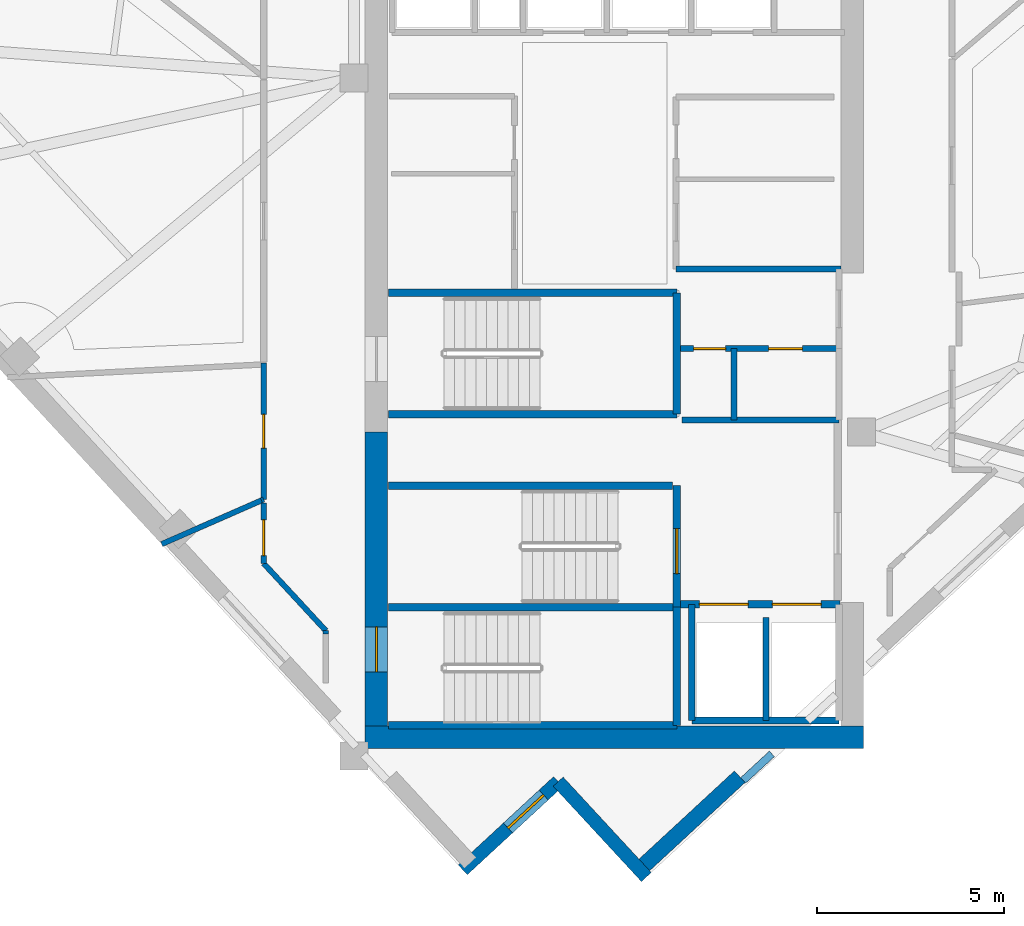
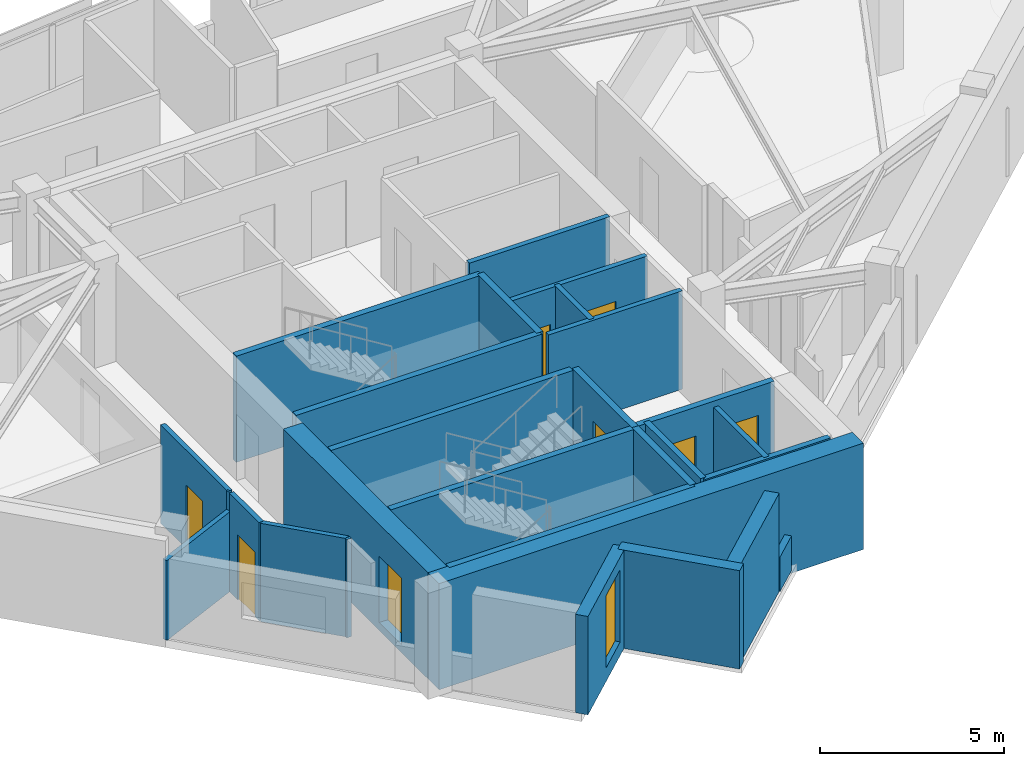
# One storey, part 8 of 13: 28 walls, 8 doors, 1 window, 9 openings.
"""IFC4 building model written with IfcOpenShell, lengths in metres."""

from ifc_helpers import new_model, si_unit, direction, frame, frame_2d, origin, place, context, subcontext, project, spatial, rectangle, extrude, material, layer, layer_set, type_object, element, fill, save


model = new_model("IFC4")

# Units and contexts
model_context = context("Model", 3, precision=1e-05, world=origin(), true_north=direction((0.0, 1.0)))
body_context = subcontext(model_context, "Body", "Model", "MODEL_VIEW")
ifc_project = project(units=[si_unit("LENGTHUNIT", "METRE"), si_unit("AREAUNIT", "SQUARE_METRE"), si_unit("VOLUMEUNIT", "CUBIC_METRE"), si_unit("PLANEANGLEUNIT", "RADIAN"), si_unit("MASSUNIT", "GRAM", prefix="KILO")], contexts=[model_context])

# Site, building, storey
site_placement = place(None, origin())
site = spatial("IfcSite", under=ifc_project, at=site_placement, CompositionType="ELEMENT")
building_placement = place(site_placement, origin())
building = spatial("IfcBuilding", under=site, at=building_placement, Name="Narakoshi Arena Tower", CompositionType="ELEMENT")
storey_placement = place(building_placement, frame((0.0, 0.0, 278.340087890625)))
storey = spatial("IfcBuildingStorey", under=building, at=storey_placement, Name="L76", CompositionType="ELEMENT", Elevation=278.340087890625)

# Wall, opening, door
ifc_material_1 = material(Name="Concrete C50/60", Category="concrete")
ifc_layer_1 = layer(ifc_material_1, 0.60009765625)
ifc_layer_set_1 = layer_set([ifc_layer_1], Name="Concrete C50/60")
wall_type_1 = type_object("IfcWallType", Name="WL-CORE-600", PredefinedType="SHEAR", material=ifc_layer_set_1)
wall_1_placement = place(storey_placement, frame((72.60009765625, 35.5, -0.260009765625), z_axis=(0.0, 0.0, 1.0), x_axis=(0.0, 1.0, 0.0)))
wall_1 = element("IfcWall", 1, at=wall_1_placement, inside=storey, type_object=wall_type_1, Name="L76 Central Core Shear Wall CW-APX-W", PredefinedType="SHEAR", context=body_context, shape_type="SweptSolid", body=[
    extrude(rectangle(XDim=7.85009765625, YDim=0.60009765625, at=frame_2d((3.925048828125, 0.0))), origin(), (0.0, 0.0, 1.0), 3.52001953125),
])
opening_1_placement = place(wall_1_placement, frame((1.449951171875, 0.0, 0.260009765625)))
opening_1 = element("IfcOpeningElement", 2, at=opening_1_placement, cuts=wall_1, Name="Opening D-03", PredefinedType="OPENING", context=body_context, shape_type="SweptSolid", body=[
    extrude(rectangle(XDim=1.199951171875, YDim=2.199951171875, at=frame_2d((0.60009765625, 1.10009765625))), frame((0.0, 0.31005859375, 0.0), z_axis=(0.0, -1.0, 0.0), x_axis=(1.0, 0.0, 0.0)), (0.0, 0.0, 1.0), 0.6201171875),
])
ifc_material_2 = material(Name="Painted galvanized steel", Category="steel")
door_type_1 = type_object("IfcDoorType", Name="DR-STR-1200", OperationType="NOTDEFINED", PredefinedType="USERDEFINED", material=ifc_material_2)
door_1_placement = place(opening_1_placement, frame((1.199951171875, 0.0, 0.0), z_axis=(0.0, 0.0, 1.0), x_axis=(-1.0, 0.0, 0.0)))
door_1 = element("IfcDoor", 3, at=door_1_placement, inside=storey, type_object=door_type_1, Name="DR-L76-001", ObjectType="EXITDOOR", OperationType="SINGLE_SWING_LEFT", OverallHeight=2.199951171875, OverallWidth=1.199951171875, PredefinedType="USERDEFINED", context=body_context, shape_type="SweptSolid", body=[
    extrude(rectangle(XDim=1.199951171875, YDim=2.199951171875, at=frame_2d((0.60009765625, 1.10009765625))), frame((0.0, 0.02490234375, 0.0), z_axis=(0.0, -1.0, 0.0), x_axis=(1.0, 0.0, 0.0)), (0.0, 0.0, 1.0), 0.050048828125),
])
fill(opening_1, door_1)

# Walls
wall_2_placement = place(storey_placement, frame((72.300048828125, 35.199951171875, -0.260009765625), z_axis=(0.0, 0.0, 1.0), x_axis=(1.0, 0.0, 0.0)))
element("IfcWall", 4, at=wall_2_placement, inside=storey, type_object=wall_type_1, Name="L76 Central Core Shear Wall CW-APX-S", PredefinedType="SHEAR", context=body_context, shape_type="SweptSolid", body=[
    extrude(rectangle(XDim=13.300048828125, YDim=0.60009765625, at=frame_2d((6.64990234375, 0.0))), origin(), (0.0, 0.0, 1.0), 3.52001953125),
])
ifc_material_3 = material(Name="Precast concrete C45/55", Category="concrete")
ifc_layer_2 = layer(ifc_material_3, 0.25)
ifc_layer_set_2 = layer_set([ifc_layer_2], Name="Precast concrete C45/55")
wall_type_2 = type_object("IfcWallType", Name="WL-PARA-250", PredefinedType="PARAPET", material=ifc_layer_set_2)
wall_3_placement = place(storey_placement, frame((83.15625, 34.760009765625, 0.0), z_axis=(0.0, 0.0, 1.0), x_axis=(-0.734364355784, -0.678755473609, 0.0)))
element("IfcWall", 5, at=wall_3_placement, inside=storey, type_object=wall_type_2, Name="L76 Crown Sill Upstand Parapet 05", PredefinedType="PARAPET", context=body_context, shape_type="SweptSolid", body=[
    extrude(rectangle(XDim=1.044921875, YDim=0.199951171875, at=frame_2d((0.5224609375, 0.0))), origin(), (0.0, 0.0, 1.0), 1.14990234375),
])
ifc_layer_3 = layer(ifc_material_3, 0.419921875)
ifc_layer_set_3 = layer_set([ifc_layer_3], Name="Precast concrete C45/55")
wall_type_3 = type_object("IfcWallType", Name="WL-POD-420", PredefinedType="SOLIDWALL", material=ifc_layer_set_3)
wall_4_placement = place(storey_placement, frame((79.618896484375, 31.674072265625, 0.0), z_axis=(0.0, 0.0, 1.0), x_axis=(0.734338793707, 0.678783128884, 0.0)))
element("IfcWall", 6, at=wall_4_placement, inside=storey, type_object=wall_type_3, Name="L76 Architectural Concrete Facade Wall LEGA-1", PredefinedType="SOLIDWALL", context=body_context, shape_type="SweptSolid", body=[
    extrude(rectangle(XDim=3.6474609375, YDim=0.419921875, at=frame_2d((1.82373046875, 0.0))), origin(), (0.0, 0.0, 1.0), 3.260009765625),
])

# Wall, opening, window
wall_5_placement = place(storey_placement, frame((74.9033203125, 31.664794921875, 0.0), z_axis=(0.0, 0.0, 1.0), x_axis=(0.734325680362, 0.678797315228, 0.0)))
wall_5 = element("IfcWall", 7, at=wall_5_placement, inside=storey, type_object=wall_type_3, Name="L76 Re-Entrant Corner Notch Wall NTA-1", PredefinedType="SOLIDWALL", context=body_context, shape_type="SweptSolid", body=[
    extrude(rectangle(XDim=3.468994140625, YDim=0.360107421875, at=frame_2d((1.734375, 0.0))), origin(), (0.0, 0.0, 1.0), 3.260009765625),
])
opening_2_placement = place(wall_5_placement, frame((1.64306640625, 0.0, 0.449951171875)))
opening_2 = element("IfcOpeningElement", 8, at=opening_2_placement, cuts=wall_5, Name="Opening WN-06", PredefinedType="OPENING", context=body_context, shape_type="SweptSolid", body=[
    extrude(rectangle(XDim=1.300048828125, YDim=2.39990234375, at=frame_2d((0.64990234375, 1.199951171875))), frame((0.0, 0.18994140625, 0.0), z_axis=(0.0, -1.0, 0.0), x_axis=(1.0, 0.0, 0.0)), (0.0, 0.0, 1.0), 0.380126953125),
])
ifc_material_4 = material(Name="Bronze-tinted low-E laminated glass", Category="glass")
window_type = type_object("IfcWindowType", Name="WIN-NTC-16x24", PartitioningType="SINGLE_PANEL", PredefinedType="WINDOW", material=ifc_material_4)
window_placement = place(opening_2_placement, origin())
window = element("IfcWindow", 9, at=window_placement, inside=storey, type_object=window_type, Name="L76 Corner Notch Window NTA", OverallHeight=2.39990234375, OverallWidth=1.300048828125, PartitioningType="SINGLE_PANEL", PredefinedType="WINDOW", context=body_context, shape_type="SweptSolid", body=[
    extrude(rectangle(XDim=1.300048828125, YDim=2.39990234375, at=frame_2d((0.64990234375, 1.199951171875))), frame((0.0, 0.030029296875, 0.0), z_axis=(0.0, -1.0, 0.0), x_axis=(1.0, 0.0, 0.0)), (0.0, 0.0, 1.0), 0.06005859375),
])
fill(opening_2, window)

# Walls
wall_6_placement = place(storey_placement, frame((77.45068359375, 34.01953125, 0.0), z_axis=(0.0, 0.0, 1.0), x_axis=(0.678835262818, -0.734290600481, 0.0)))
element("IfcWall", 10, at=wall_6_placement, inside=storey, type_object=wall_type_3, Name="L76 Re-Entrant Corner Notch Wall NTA-2", PredefinedType="SOLIDWALL", context=body_context, shape_type="SweptSolid", body=[
    extrude(rectangle(XDim=3.46923828125, YDim=0.360107421875, at=frame_2d((1.734619140625, 0.0))), origin(), (0.0, 0.0, 1.0), 3.260009765625),
])
ifc_material_5 = material(Name="Concrete C40/50", Category="concrete")
ifc_layer_4 = layer(ifc_material_5, 0.280029296875)
ifc_layer_set_4 = layer_set([ifc_layer_4], Name="Concrete C40/50")
wall_type_4 = type_object("IfcWallType", Name="WL-RISER-280", PredefinedType="PLUMBINGWALL", material=ifc_layer_set_4)
wall_7_placement = place(storey_placement, frame((83.0, 35.64990234375, 0.0), z_axis=(0.0, 0.0, 1.0), x_axis=(0.0, 1.0, 0.0)))
element("IfcWall", 11, at=wall_7_placement, inside=storey, type_object=wall_type_4, Name="L76 Core Wall FF-DIV", PredefinedType="PLUMBINGWALL", context=body_context, shape_type="SweptSolid", body=[
    extrude(rectangle(XDim=2.75, YDim=0.159912109375, at=frame_2d((1.375, 0.0))), origin(), (0.0, 0.0, 1.0), 3.260009765625),
])

# Wall, openings, doors
wall_8_placement = place(storey_placement, frame((80.719970703125, 45.580078125, 0.0), z_axis=(0.0, 0.0, 1.0), x_axis=(1.0, 0.0, 0.0)))
wall_8 = element("IfcWall", 12, at=wall_8_placement, inside=storey, type_object=wall_type_4, Name="L76 Core Wall RSR-N", PredefinedType="PLUMBINGWALL", context=body_context, shape_type="SweptSolid", body=[
    extrude(rectangle(XDim=4.22998046875, YDim=0.159912109375, at=frame_2d((2.114990234375, 0.0))), origin(), (0.0, 0.0, 1.0), 3.260009765625),
])
opening_3_placement = place(wall_8_placement, frame((0.35009765625, 0.0, 0.0)))
opening_3 = element("IfcOpeningElement", 13, at=opening_3_placement, cuts=wall_8, Name="Opening D-10", PredefinedType="OPENING", context=body_context, shape_type="SweptSolid", body=[
    extrude(rectangle(XDim=0.85009765625, YDim=2.050048828125, at=frame_2d((0.425048828125, 1.02490234375))), frame((0.0, 0.08984375, 0.0), z_axis=(0.0, -1.0, 0.0), x_axis=(1.0, 0.0, 0.0)), (0.0, 0.0, 1.0), 0.179931640625),
])
opening_4_placement = place(wall_8_placement, frame((2.35009765625, 0.0, 0.0)))
opening_4 = element("IfcOpeningElement", 14, at=opening_4_placement, cuts=wall_8, Name="Opening D-08", PredefinedType="OPENING", context=body_context, shape_type="SweptSolid", body=[
    extrude(rectangle(XDim=0.89990234375, YDim=2.10009765625, at=frame_2d((0.449951171875, 1.050048828125))), frame((0.0, 0.08984375, 0.0), z_axis=(0.0, -1.0, 0.0), x_axis=(1.0, 0.0, 0.0)), (0.0, 0.0, 1.0), 0.179931640625),
])
door_type_2 = type_object("IfcDoorType", Name="DR-RSR-850", OperationType="NOTDEFINED", PredefinedType="DOOR", material=ifc_material_2)
door_2_placement = place(opening_3_placement, frame((0.85009765625, 0.0, 0.0), z_axis=(0.0, 0.0, 1.0), x_axis=(-1.0, 0.0, 0.0)))
door_2 = element("IfcDoor", 15, at=door_2_placement, inside=storey, type_object=door_type_2, Name="DR-L76-008", OperationType="SINGLE_SWING_LEFT", OverallHeight=2.050048828125, OverallWidth=0.85009765625, PredefinedType="DOOR", context=body_context, shape_type="SweptSolid", body=[
    extrude(rectangle(XDim=0.85009765625, YDim=2.050048828125, at=frame_2d((0.425048828125, 1.02490234375))), frame((0.0, 0.02490234375, 0.0), z_axis=(0.0, -1.0, 0.0), x_axis=(1.0, 0.0, 0.0)), (0.0, 0.0, 1.0), 0.050048828125),
])
fill(opening_3, door_2)
ifc_material_6 = material(Name="Moisture-resistant laminate timber", Category="wood")
door_type_3 = type_object("IfcDoorType", Name="DR-WC-900", OperationType="NOTDEFINED", PredefinedType="DOOR", material=ifc_material_6)
door_3_placement = place(opening_4_placement, frame((0.89990234375, 0.0, 0.0), z_axis=(0.0, 0.0, 1.0), x_axis=(-1.0, 0.0, 0.0)))
door_3 = element("IfcDoor", 16, at=door_3_placement, inside=storey, type_object=door_type_3, Name="DR-L76-009", OperationType="SINGLE_SWING_RIGHT", OverallHeight=2.10009765625, OverallWidth=0.89990234375, PredefinedType="DOOR", context=body_context, shape_type="SweptSolid", body=[
    extrude(rectangle(XDim=0.89990234375, YDim=2.10009765625, at=frame_2d((0.449951171875, 1.050048828125))), frame((0.0, 0.02490234375, 0.0), z_axis=(0.0, -1.0, 0.0), x_axis=(1.0, 0.0, 0.0)), (0.0, 0.0, 1.0), 0.050048828125),
])
fill(opening_4, door_3)

# Walls
wall_9_placement = place(storey_placement, frame((80.760009765625, 43.679931640625, 0.0), z_axis=(0.0, 0.0, 1.0), x_axis=(1.0, 0.0, 0.0)))
element("IfcWall", 17, at=wall_9_placement, inside=storey, type_object=wall_type_4, Name="L76 Core Wall RSR-S", PredefinedType="PLUMBINGWALL", context=body_context, shape_type="SweptSolid", body=[
    extrude(rectangle(XDim=4.18994140625, YDim=0.159912109375, at=frame_2d((2.094970703125, 0.0))), origin(), (0.0, 0.0, 1.0), 3.260009765625),
])
wall_10_placement = place(storey_placement, frame((82.14990234375, 43.679931640625, 0.0), z_axis=(0.0, 0.0, 1.0), x_axis=(0.0, 1.0, 0.0)))
element("IfcWall", 18, at=wall_10_placement, inside=storey, type_object=wall_type_4, Name="L76 Core Wall RSR-M", PredefinedType="PLUMBINGWALL", context=body_context, shape_type="SweptSolid", body=[
    extrude(rectangle(XDim=1.900146484375, YDim=0.159912109375, at=frame_2d((0.9501953125, 0.0))), origin(), (0.0, 0.0, 1.0), 3.260009765625),
])
ifc_layer_5 = layer(ifc_material_1, 0.35009765625)
ifc_layer_set_5 = layer_set([ifc_layer_5], Name="Concrete C50/60")
wall_type_5 = type_object("IfcWallType", Name="WL-SHAFT-350", PredefinedType="SOLIDWALL", material=ifc_layer_set_5)
for number, where, z_axis, x_axis, name in (
    (19, (72.919921875, 35.52001953125, -0.260009765625), (0.0, 0.0, 1.0), (1.0, 0.0, 0.0), "L76 Core Wall ST1-S"),
    (20, (72.919921875, 38.675048828125, -0.260009765625), (0.0, 0.0, 1.0), (1.0, 0.0, 0.0), "L76 Core Wall ST12-DIV"),
):
    element("IfcWall", number, at=place(storey_placement, frame(where, z_axis=z_axis, x_axis=x_axis)), inside=storey, type_object=wall_type_5, Name=name, PredefinedType="SOLIDWALL", context=body_context, shape_type="SweptSolid", body=[
        extrude(rectangle(XDim=7.7001953125, YDim=0.199951171875, at=frame_2d((3.85009765625, 0.0))), origin(), (0.0, 0.0, 1.0), 3.52001953125),
    ])
wall_11_placement = place(storey_placement, frame((80.6201171875, 35.52001953125, -0.260009765625), z_axis=(0.0, 0.0, 1.0), x_axis=(0.0, 1.0, 0.0)))
element("IfcWall", 21, at=wall_11_placement, inside=storey, type_object=wall_type_5, Name="L76 Core Wall ST1-E", PredefinedType="SOLIDWALL", context=body_context, shape_type="SweptSolid", body=[
    extrude(rectangle(XDim=3.155029296875, YDim=0.199951171875, at=frame_2d((1.57763671875, 0.0))), origin(), (0.0, 0.0, 1.0), 3.52001953125),
])

# Wall, opening, door
wall_12_placement = place(storey_placement, frame((80.6201171875, 38.675048828125, -0.260009765625), z_axis=(0.0, 0.0, 1.0), x_axis=(0.0, 1.0, 0.0)))
wall_12 = element("IfcWall", 22, at=wall_12_placement, inside=storey, type_object=wall_type_5, Name="L76 Core Wall ST2-E", PredefinedType="SOLIDWALL", context=body_context, shape_type="SweptSolid", body=[
    extrude(rectangle(XDim=3.244873046875, YDim=0.199951171875, at=frame_2d((1.62255859375, 0.0))), origin(), (0.0, 0.0, 1.0), 3.52001953125),
])
opening_5_placement = place(wall_12_placement, frame((0.89990234375, 0.0, 0.260009765625)))
opening_5 = element("IfcOpeningElement", 23, at=opening_5_placement, cuts=wall_12, Name="Opening D-03", PredefinedType="OPENING", context=body_context, shape_type="SweptSolid", body=[
    extrude(rectangle(XDim=1.199951171875, YDim=2.199951171875, at=frame_2d((0.60009765625, 1.10009765625))), frame((0.0, 0.10986328125, 0.0), z_axis=(0.0, -1.0, 0.0), x_axis=(1.0, 0.0, 0.0)), (0.0, 0.0, 1.0), 0.219970703125),
])
door_4_placement = place(opening_5_placement, origin())
door_4 = element("IfcDoor", 24, at=door_4_placement, inside=storey, type_object=door_type_1, Name="DR-L76-002", ObjectType="EXITDOOR", OperationType="SINGLE_SWING_RIGHT", OverallHeight=2.199951171875, OverallWidth=1.199951171875, PredefinedType="USERDEFINED", context=body_context, shape_type="SweptSolid", body=[
    extrude(rectangle(XDim=1.199951171875, YDim=2.199951171875, at=frame_2d((0.60009765625, 1.10009765625))), frame((0.0, 0.02490234375, 0.0), z_axis=(0.0, -1.0, 0.0), x_axis=(1.0, 0.0, 0.0)), (0.0, 0.0, 1.0), 0.050048828125),
])
fill(opening_5, door_4)

# Wall, openings, doors
wall_13_placement = place(storey_placement, frame((80.719970703125, 38.75, 0.0), z_axis=(0.0, 0.0, 1.0), x_axis=(1.0, 0.0, 0.0)))
wall_13 = element("IfcWall", 25, at=wall_13_placement, inside=storey, type_object=wall_type_5, Name="L76 Core Wall FF-N", PredefinedType="SOLIDWALL", context=body_context, shape_type="SweptSolid", body=[
    extrude(rectangle(XDim=4.260009765625, YDim=0.199951171875, at=frame_2d((2.1298828125, 0.0))), origin(), (0.0, 0.0, 1.0), 3.260009765625),
])
opening_6_placement = place(wall_13_placement, frame((0.5, 0.0, 0.0)))
opening_6 = element("IfcOpeningElement", 26, at=opening_6_placement, cuts=wall_13, Name="Opening LD-02", PredefinedType="OPENING", context=body_context, shape_type="SweptSolid", body=[
    extrude(rectangle(XDim=1.300048828125, YDim=2.300048828125, at=frame_2d((0.64990234375, 1.14990234375))), frame((0.0, 0.10986328125, 0.0), z_axis=(0.0, -1.0, 0.0), x_axis=(1.0, 0.0, 0.0)), (0.0, 0.0, 1.0), 0.219970703125),
])
opening_7_placement = place(wall_13_placement, frame((2.449951171875, 0.0, 0.0)))
opening_7 = element("IfcOpeningElement", 27, at=opening_7_placement, cuts=wall_13, Name="Opening LD-02", PredefinedType="OPENING", context=body_context, shape_type="SweptSolid", body=[
    extrude(rectangle(XDim=1.300048828125, YDim=2.300048828125, at=frame_2d((0.64990234375, 1.14990234375))), frame((0.0, 0.10986328125, 0.0), z_axis=(0.0, -1.0, 0.0), x_axis=(1.0, 0.0, 0.0)), (0.0, 0.0, 1.0), 0.219970703125),
])
ifc_material_7 = material(Name="Brushed bronze stainless steel", Category="steel")
door_type_4 = type_object("IfcDoorType", Name="DR-LFT-1300", OperationType="DOUBLE_DOOR_SLIDING", PredefinedType="DOOR", material=ifc_material_7)
door_5_placement = place(opening_6_placement, origin())
door_5 = element("IfcDoor", 28, at=door_5_placement, inside=storey, type_object=door_type_4, Name="DR-L76-003", OperationType="DOUBLE_DOOR_SLIDING", OverallHeight=2.300048828125, OverallWidth=1.300048828125, PredefinedType="DOOR", context=body_context, shape_type="SweptSolid", body=[
    extrude(rectangle(XDim=1.300048828125, YDim=2.300048828125, at=frame_2d((0.64990234375, 1.14990234375))), frame((0.0, 0.02490234375, 0.0), z_axis=(0.0, -1.0, 0.0), x_axis=(1.0, 0.0, 0.0)), (0.0, 0.0, 1.0), 0.050048828125),
])
fill(opening_6, door_5)
door_6_placement = place(opening_7_placement, origin())
door_6 = element("IfcDoor", 29, at=door_6_placement, inside=storey, type_object=door_type_4, Name="DR-L76-004", OperationType="DOUBLE_DOOR_SLIDING", OverallHeight=2.300048828125, OverallWidth=1.300048828125, PredefinedType="DOOR", context=body_context, shape_type="SweptSolid", body=[
    extrude(rectangle(XDim=1.300048828125, YDim=2.300048828125, at=frame_2d((0.64990234375, 1.14990234375))), frame((0.0, 0.02490234375, 0.0), z_axis=(0.0, -1.0, 0.0), x_axis=(1.0, 0.0, 0.0)), (0.0, 0.0, 1.0), 0.050048828125),
])
fill(opening_7, door_6)

# Walls
wall_14_placement = place(storey_placement, frame((81.02001953125, 35.64990234375, 0.0), z_axis=(0.0, 0.0, 1.0), x_axis=(0.0, 1.0, 0.0)))
element("IfcWall", 30, at=wall_14_placement, inside=storey, type_object=wall_type_5, Name="L76 Core Wall FF-W", PredefinedType="SOLIDWALL", context=body_context, shape_type="SweptSolid", body=[
    extrude(rectangle(XDim=3.10009765625, YDim=0.179931640625, at=frame_2d((1.550048828125, 0.0))), origin(), (0.0, 0.0, 1.0), 3.260009765625),
])
wall_15_placement = place(storey_placement, frame((81.02001953125, 35.64990234375, 0.0), z_axis=(0.0, 0.0, 1.0), x_axis=(1.0, 0.0, 0.0)))
element("IfcWall", 31, at=wall_15_placement, inside=storey, type_object=wall_type_5, Name="L76 Core Wall FF-S", PredefinedType="SOLIDWALL", context=body_context, shape_type="SweptSolid", body=[
    extrude(rectangle(XDim=3.929931640625, YDim=0.179931640625, at=frame_2d((1.96484375, 0.0))), origin(), (0.0, 0.0, 1.0), 3.260009765625),
])
wall_16_placement = place(storey_placement, frame((72.919921875, 41.919921875, -0.260009765625), z_axis=(0.0, 0.0, 1.0), x_axis=(1.0, 0.0, 0.0)))
element("IfcWall", 32, at=wall_16_placement, inside=storey, type_object=wall_type_5, Name="L76 Core Wall ST2-N", PredefinedType="SOLIDWALL", context=body_context, shape_type="SweptSolid", body=[
    extrude(rectangle(XDim=7.580078125, YDim=0.199951171875, at=frame_2d((3.7900390625, 0.0))), origin(), (0.0, 0.0, 1.0), 3.52001953125),
])
for number, where, z_axis, x_axis, name in (
    (33, (72.919921875, 43.830078125, -0.260009765625), (0.0, 0.0, 1.0), (1.0, 0.0, 0.0), "L76 Core Wall ST3-S"),
    (34, (72.919921875, 47.070068359375, -0.260009765625), (0.0, 0.0, 1.0), (1.0, 0.0, 0.0), "L76 Core Wall ST3-N"),
):
    element("IfcWall", number, at=place(storey_placement, frame(where, z_axis=z_axis, x_axis=x_axis)), inside=storey, type_object=wall_type_5, Name=name, PredefinedType="SOLIDWALL", context=body_context, shape_type="SweptSolid", body=[
        extrude(rectangle(XDim=7.7001953125, YDim=0.199951171875, at=frame_2d((3.85009765625, 0.0))), origin(), (0.0, 0.0, 1.0), 3.52001953125),
    ])
wall_17_placement = place(storey_placement, frame((80.6201171875, 43.830078125, -0.260009765625), z_axis=(0.0, 0.0, 1.0), x_axis=(0.0, 1.0, 0.0)))
element("IfcWall", 35, at=wall_17_placement, inside=storey, type_object=wall_type_5, Name="L76 Core Wall ST3-E", PredefinedType="SOLIDWALL", context=body_context, shape_type="SweptSolid", body=[
    extrude(rectangle(XDim=3.239990234375, YDim=0.199951171875, at=frame_2d((1.6201171875, 0.0))), origin(), (0.0, 0.0, 1.0), 3.52001953125),
])
wall_18_placement = place(storey_placement, frame((80.60009765625, 47.699951171875, 0.0), z_axis=(0.0, 0.0, 1.0), x_axis=(1.0, 0.0, 0.0)))
element("IfcWall", 36, at=wall_18_placement, inside=storey, type_object=wall_type_5, Name="L76 Core Wall MR-S", PredefinedType="SOLIDWALL", context=body_context, shape_type="SweptSolid", body=[
    extrude(rectangle(XDim=4.39990234375, YDim=0.159912109375, at=frame_2d((2.199951171875, 0.0))), origin(), (0.0, 0.0, 1.0), 3.260009765625),
])

# Wall, opening, door
ifc_material_8 = material(Name="Moisture-resistant cement-board partition")
ifc_layer_6 = layer(ifc_material_8, 0.14501953125)
ifc_layer_set_6 = layer_set([ifc_layer_6], Name="Moisture-resistant cement-board partition")
wall_type_6 = type_object("IfcWallType", Name="WL-WET-145", PredefinedType="PARTITIONING", material=ifc_layer_set_6)
wall_19_placement = place(storey_placement, frame((69.588623046875, 45.1923828125, 0.0), z_axis=(0.0, 0.0, 1.0), x_axis=(0.0, -1.0, 0.0)))
wall_19 = element("IfcWall", 37, at=wall_19_placement, inside=storey, type_object=wall_type_6, Name="L76 Corridor Partition 01-1", PredefinedType="PARTITIONING", context=body_context, shape_type="SweptSolid", body=[
    extrude(rectangle(XDim=3.639404296875, YDim=0.14501953125, at=frame_2d((1.81982421875, 0.0))), origin(), (0.0, 0.0, 1.0), 3.260009765625),
])
opening_8_placement = place(wall_19_placement, frame((1.36962890625, 0.0, 0.0)))
opening_8 = element("IfcOpeningElement", 38, at=opening_8_placement, cuts=wall_19, Name="Opening D-08", PredefinedType="OPENING", context=body_context, shape_type="SweptSolid", body=[
    extrude(rectangle(XDim=0.89990234375, YDim=2.10009765625, at=frame_2d((0.449951171875, 1.050048828125))), frame((0.0, 0.08251953125, 0.0), z_axis=(0.0, -1.0, 0.0), x_axis=(1.0, 0.0, 0.0)), (0.0, 0.0, 1.0), 0.1650390625),
])
door_7_placement = place(opening_8_placement, frame((0.89990234375, 0.0, 0.0), z_axis=(0.0, 0.0, 1.0), x_axis=(-1.0, 0.0, 0.0)))
door_7 = element("IfcDoor", 39, at=door_7_placement, inside=storey, type_object=door_type_3, Name="DR-L76-017", OperationType="SINGLE_SWING_RIGHT", OverallHeight=2.10009765625, OverallWidth=0.89990234375, PredefinedType="DOOR", context=body_context, shape_type="SweptSolid", body=[
    extrude(rectangle(XDim=0.89990234375, YDim=2.10009765625, at=frame_2d((0.449951171875, 1.050048828125))), frame((0.0, 0.02490234375, 0.0), z_axis=(0.0, -1.0, 0.0), x_axis=(1.0, 0.0, 0.0)), (0.0, 0.0, 1.0), 0.050048828125),
])
fill(opening_8, door_7)

# Walls
wall_20_placement = place(storey_placement, frame((69.588623046875, 41.552978515625, 0.0), z_axis=(0.0, 0.0, 1.0), x_axis=(-0.915644030191, -0.401990062035, 0.0)))
element("IfcWall", 40, at=wall_20_placement, inside=storey, type_object=wall_type_6, Name="L76 Corridor Partition 01-2", PredefinedType="PARTITIONING", context=body_context, shape_type="SweptSolid", body=[
    extrude(rectangle(XDim=0.065673828125, YDim=0.14501953125, at=frame_2d((0.03271484375, 0.0))), origin(), (0.0, 0.0, 1.0), 3.260009765625),
])
wall_21_placement = place(storey_placement, frame((69.528564453125, 41.526611328125, 0.0), z_axis=(0.0, 0.0, 1.0), x_axis=(-0.915979937863, -0.401224068859, 0.0)))
element("IfcWall", 41, at=wall_21_placement, inside=storey, type_object=wall_type_6, Name="L76 Inter-Room Partition 01-02", PredefinedType="PARTITIONING", context=body_context, shape_type="SweptSolid", body=[
    extrude(rectangle(XDim=2.907470703125, YDim=0.14501953125, at=frame_2d((1.45361328125, 0.0))), origin(), (0.0, 0.0, 1.0), 2.64501953125),
])
wall_22_placement = place(storey_placement, frame((69.588623046875, 39.8447265625, 0.0), z_axis=(0.0, 0.0, 1.0), x_axis=(0.678830953326, -0.734294584487, 0.0)))
element("IfcWall", 42, at=wall_22_placement, inside=storey, type_object=wall_type_6, Name="L76 Corridor Partition 02-1", PredefinedType="PARTITIONING", context=body_context, shape_type="SweptSolid", body=[
    extrude(rectangle(XDim=2.447509765625, YDim=0.14501953125, at=frame_2d((1.2236328125, 0.0))), origin(), (0.0, 0.0, 1.0), 3.260009765625),
])

# Wall, opening, door
wall_23_placement = place(storey_placement, frame((69.588623046875, 41.460693359375, 0.0), z_axis=(0.0, 0.0, 1.0), x_axis=(0.0, -1.0, 0.0)))
wall_23 = element("IfcWall", 43, at=wall_23_placement, inside=storey, type_object=wall_type_6, Name="L76 Corridor Partition 02-2", PredefinedType="PARTITIONING", context=body_context, shape_type="SweptSolid", body=[
    extrude(rectangle(XDim=1.615966796875, YDim=0.14501953125, at=frame_2d((0.80810546875, 0.0))), origin(), (0.0, 0.0, 1.0), 3.260009765625),
])
opening_9_placement = place(wall_23_placement, frame((0.455322265625, 0.0, 0.0)))
opening_9 = element("IfcOpeningElement", 44, at=opening_9_placement, cuts=wall_23, Name="Opening D-07", PredefinedType="OPENING", context=body_context, shape_type="SweptSolid", body=[
    extrude(rectangle(XDim=0.949951171875, YDim=2.14990234375, at=frame_2d((0.47509765625, 1.074951171875))), frame((0.0, 0.08251953125, 0.0), z_axis=(0.0, -1.0, 0.0), x_axis=(1.0, 0.0, 0.0)), (0.0, 0.0, 1.0), 0.1650390625),
])
ifc_material_9 = material(Name="Stained oak solid-core timber", Category="wood")
door_type_5 = type_object("IfcDoorType", Name="DR-ACC-950", OperationType="NOTDEFINED", PredefinedType="DOOR", material=ifc_material_9)
door_8_placement = place(opening_9_placement, frame((0.949951171875, 0.0, 0.0), z_axis=(0.0, 0.0, 1.0), x_axis=(-1.0, 0.0, 0.0)))
door_8 = element("IfcDoor", 45, at=door_8_placement, inside=storey, type_object=door_type_5, Name="DR-L76-018", OperationType="SINGLE_SWING_RIGHT", OverallHeight=2.14990234375, OverallWidth=0.949951171875, PredefinedType="DOOR", context=body_context, shape_type="SweptSolid", body=[
    extrude(rectangle(XDim=0.949951171875, YDim=2.14990234375, at=frame_2d((0.47509765625, 1.074951171875))), frame((0.0, 0.02490234375, 0.0), z_axis=(0.0, -1.0, 0.0), x_axis=(1.0, 0.0, 0.0)), (0.0, 0.0, 1.0), 0.050048828125),
])
fill(opening_9, door_8)

# Wall
wall_24_placement = place(storey_placement, frame((71.25, 38.047607421875, 0.0), z_axis=(0.0, 0.0, 1.0), x_axis=(0.0, -1.0, 0.0)))
element("IfcWall", 46, at=wall_24_placement, inside=storey, type_object=wall_type_6, Name="L76 Corridor Partition 02-3", PredefinedType="PARTITIONING", context=body_context, shape_type="SweptSolid", body=[
    extrude(rectangle(XDim=0.088623046875, YDim=0.14501953125, at=frame_2d((0.04443359375, 0.0))), origin(), (0.0, 0.0, 1.0), 3.260009765625),
])

save(model, "model.ifc")
